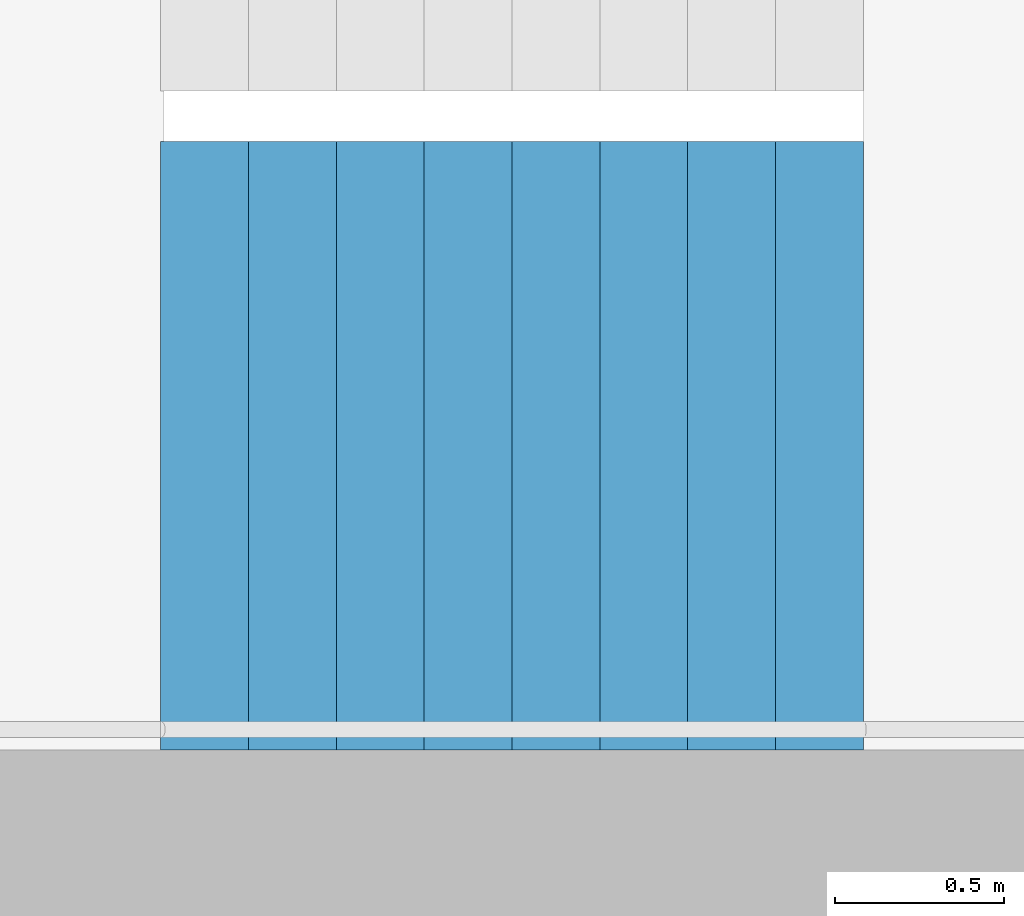
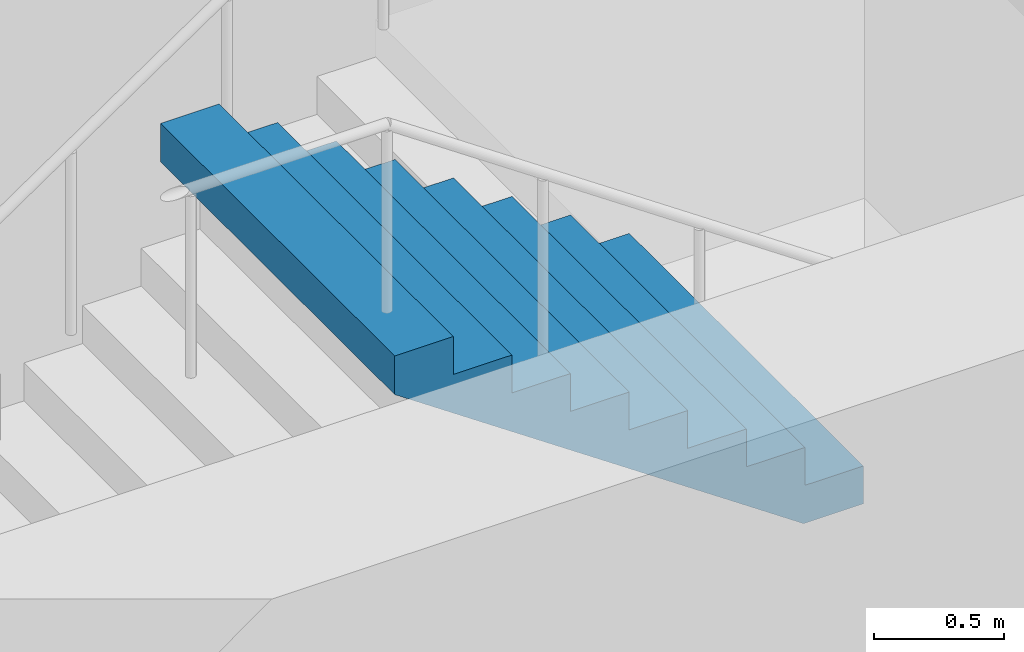
# One storey, part 24 of 28: 1 stair flight, 1 element without a shape of its own.
"""IFC4 building model written with IfcOpenShell, lengths in metres."""

from ifc_helpers import new_model, si_unit, direction, frame, origin, place, context, subcontext, project, spatial, triangles, material, type_object, element, aggregate, save


model = new_model("IFC4")

# Units and contexts
model_context = context("Model", 3, precision=1e-05, world=origin(), true_north=direction((0.0, 1.0)))
body_context = subcontext(model_context, "Body", "Model", "MODEL_VIEW")
ifc_project = project(units=[si_unit("LENGTHUNIT", "METRE"), si_unit("AREAUNIT", "SQUARE_METRE"), si_unit("VOLUMEUNIT", "CUBIC_METRE"), si_unit("PLANEANGLEUNIT", "RADIAN"), si_unit("MASSUNIT", "GRAM", prefix="KILO")], contexts=[model_context])

# Site, building, storey
site_placement = place(None, origin())
site = spatial("IfcSite", under=ifc_project, at=site_placement, CompositionType="ELEMENT")
building_placement = place(site_placement, origin())
building = spatial("IfcBuilding", under=site, at=building_placement, Name="Hakoniwa Tower and Hamabe Station Hall", CompositionType="ELEMENT")
storey_placement = place(building_placement, frame((0.0, 0.0, 32.60009765625)))
storey = spatial("IfcBuildingStorey", under=building, at=storey_placement, Name="L08", CompositionType="ELEMENT", Elevation=32.60009765625)

# Stair, stair flight
ifc_material_1 = material(Name="Concrete C40", Category="concrete")
stair_type = type_object("IfcStairType", Name="ESCAPE STAIR 1800", PredefinedType="HALF_TURN_STAIR", material=ifc_material_1)
stair_placement = place(storey_placement, origin())
stair = element("IfcStair", 1, at=stair_placement, inside=storey, type_object=stair_type, Name="Escape stair ST-4 L08", PredefinedType="HALF_TURN_STAIR")
ifc_material_2 = material(Name="Concrete C40", Category="concrete")
stair_flight_type = type_object("IfcStairFlightType", Name="STAIR FLIGHT 1800", PredefinedType="STRAIGHT", material=ifc_material_2)
stair_flight_placement = place(storey_placement, frame((25.47998046875, -6.60009765625, 1.599853515625), z_axis=(0.0, 0.0, 1.0), x_axis=(-1.0, 0.0, 0.0)))
stair_flight = element("IfcStairFlight", 2, at=stair_flight_placement, type_object=stair_flight_type, Name="ST-4 flight 2", NumberOfRisers=9, NumberOfTreads=8, PredefinedType="STRAIGHT", RiserHeight=0.177777778, TreadLength=0.26, context=body_context, shape_type="Tessellation", body=[
    triangles([(0.0, 0.89990234375, 0.0), (0.260009765625, 0.89990234375, 0.0), (0.265625, 0.89990234375, 0.0), (0.52001953125, 0.89990234375, 0.174072265625), (0.780029296875, 0.89990234375, 0.351806640625), (1.0400390625, 0.89990234375, 0.529541015625), (1.300048828125, 0.89990234375, 0.707275390625), (1.56005859375, 0.89990234375, 0.885009765625), (1.820068359375, 0.89990234375, 1.062744140625), (2.080078125, 0.89990234375, 1.24072265625), (2.080078125, 0.89990234375, 1.422119140625), (1.820068359375, 0.89990234375, 1.422119140625), (1.820068359375, 0.89990234375, 1.244384765625), (1.56005859375, 0.89990234375, 1.244384765625), (1.56005859375, 0.89990234375, 1.066650390625), (1.300048828125, 0.89990234375, 1.066650390625), (1.300048828125, 0.89990234375, 0.888916015625), (1.0400390625, 0.89990234375, 0.888916015625), (1.0400390625, 0.89990234375, 0.711181640625), (0.780029296875, 0.89990234375, 0.711181640625), (0.780029296875, 0.89990234375, 0.533447265625), (0.52001953125, 0.89990234375, 0.533447265625), (0.52001953125, 0.89990234375, 0.35546875), (0.265625, 0.89990234375, 0.35546875), (0.260009765625, 0.89990234375, 0.35546875), (0.260009765625, 0.89990234375, 0.177734375), (0.0, 0.89990234375, 0.177734375), (0.0, 0.06005859375, 0.0), (0.260009765625, 0.06005859375, 0.0), (0.265625, 0.06005859375, 0.0), (0.52001953125, 0.06005859375, 0.174072265625), (0.780029296875, 0.06005859375, 0.351806640625), (1.0400390625, 0.06005859375, 0.529541015625), (1.300048828125, 0.06005859375, 0.707275390625), (1.56005859375, 0.06005859375, 0.885009765625), (1.820068359375, 0.06005859375, 1.062744140625), (2.080078125, 0.06005859375, 1.24072265625), (2.080078125, 0.06005859375, 1.422119140625), (1.820068359375, 0.06005859375, 1.422119140625), (1.820068359375, 0.06005859375, 1.244384765625), (1.56005859375, 0.06005859375, 1.244384765625), (1.56005859375, 0.06005859375, 1.066650390625), (1.300048828125, 0.06005859375, 1.066650390625), (1.300048828125, 0.06005859375, 0.888916015625), (1.0400390625, 0.06005859375, 0.888916015625), (1.0400390625, 0.06005859375, 0.711181640625), (0.780029296875, 0.06005859375, 0.711181640625), (0.780029296875, 0.06005859375, 0.533447265625), (0.52001953125, 0.06005859375, 0.533447265625), (0.52001953125, 0.06005859375, 0.35546875), (0.265625, 0.06005859375, 0.35546875), (0.260009765625, 0.06005859375, 0.35546875), (0.260009765625, 0.06005859375, 0.177734375), (0.0, 0.06005859375, 0.177734375), (0.0, 0.04296875, 0.0), (0.260009765625, 0.04296875, 0.0), (0.265625, 0.04296875, 0.0), (0.52001953125, 0.04296875, 0.174072265625), (0.780029296875, 0.04296875, 0.351806640625), (1.0400390625, 0.04296875, 0.529541015625), (1.300048828125, 0.04296875, 0.707275390625), (1.56005859375, 0.04296875, 0.885009765625), (1.820068359375, 0.04296875, 1.062744140625), (2.080078125, 0.04296875, 1.24072265625), (2.080078125, 0.04296875, 1.422119140625), (1.820068359375, 0.04296875, 1.422119140625), (1.820068359375, 0.04296875, 1.244384765625), (1.56005859375, 0.04296875, 1.244384765625), (1.56005859375, 0.04296875, 1.066650390625), (1.300048828125, 0.04296875, 1.066650390625), (1.300048828125, 0.04296875, 0.888916015625), (1.0400390625, 0.04296875, 0.888916015625), (1.0400390625, 0.04296875, 0.711181640625), (0.780029296875, 0.04296875, 0.711181640625), (0.780029296875, 0.04296875, 0.533447265625), (0.52001953125, 0.04296875, 0.533447265625), (0.52001953125, 0.04296875, 0.35546875), (0.265625, 0.04296875, 0.35546875), (0.260009765625, 0.04296875, 0.35546875), (0.260009765625, 0.04296875, 0.177734375), (0.0, 0.04296875, 0.177734375), (0.0, 0.025634765625, 0.0), (0.260009765625, 0.025634765625, 0.0), (0.265625, 0.025634765625, 0.0), (0.52001953125, 0.025634765625, 0.174072265625), (0.780029296875, 0.025634765625, 0.351806640625), (1.0400390625, 0.025634765625, 0.529541015625), (1.300048828125, 0.025634765625, 0.707275390625), (1.56005859375, 0.025634765625, 0.885009765625), (1.820068359375, 0.025634765625, 1.062744140625), (2.080078125, 0.025634765625, 1.24072265625), (2.080078125, 0.025634765625, 1.422119140625), (1.820068359375, 0.025634765625, 1.422119140625), (1.820068359375, 0.025634765625, 1.244384765625), (1.56005859375, 0.025634765625, 1.244384765625), (1.56005859375, 0.025634765625, 1.066650390625), (1.300048828125, 0.025634765625, 1.066650390625), (1.300048828125, 0.025634765625, 0.888916015625), (1.0400390625, 0.025634765625, 0.888916015625), (1.0400390625, 0.025634765625, 0.711181640625), (0.780029296875, 0.025634765625, 0.711181640625), (0.780029296875, 0.025634765625, 0.533447265625), (0.52001953125, 0.025634765625, 0.533447265625), (0.52001953125, 0.025634765625, 0.35546875), (0.265625, 0.025634765625, 0.35546875), (0.260009765625, 0.025634765625, 0.35546875), (0.260009765625, 0.025634765625, 0.177734375), (0.0, 0.025634765625, 0.177734375), (0.0, 0.008544921875, 0.0), (0.260009765625, 0.008544921875, 0.0), (0.265625, 0.008544921875, 0.0), (0.52001953125, 0.008544921875, 0.174072265625), (0.780029296875, 0.008544921875, 0.351806640625), (1.0400390625, 0.008544921875, 0.529541015625), (1.300048828125, 0.008544921875, 0.707275390625), (1.56005859375, 0.008544921875, 0.885009765625), (1.820068359375, 0.008544921875, 1.062744140625), (2.080078125, 0.008544921875, 1.24072265625), (2.080078125, 0.008544921875, 1.422119140625), (1.820068359375, 0.008544921875, 1.422119140625), (1.820068359375, 0.008544921875, 1.244384765625), (1.56005859375, 0.008544921875, 1.244384765625), (1.56005859375, 0.008544921875, 1.066650390625), (1.300048828125, 0.008544921875, 1.066650390625), (1.300048828125, 0.008544921875, 0.888916015625), (1.0400390625, 0.008544921875, 0.888916015625), (1.0400390625, 0.008544921875, 0.711181640625), (0.780029296875, 0.008544921875, 0.711181640625), (0.780029296875, 0.008544921875, 0.533447265625), (0.52001953125, 0.008544921875, 0.533447265625), (0.52001953125, 0.008544921875, 0.35546875), (0.265625, 0.008544921875, 0.35546875), (0.260009765625, 0.008544921875, 0.35546875), (0.260009765625, 0.008544921875, 0.177734375), (0.0, 0.008544921875, 0.177734375), (0.0, -0.008544921875, 0.0), (0.260009765625, -0.008544921875, 0.0), (0.265625, -0.008544921875, 0.0), (0.52001953125, -0.008544921875, 0.174072265625), (0.780029296875, -0.008544921875, 0.351806640625), (1.0400390625, -0.008544921875, 0.529541015625), (1.300048828125, -0.008544921875, 0.707275390625), (1.56005859375, -0.008544921875, 0.885009765625), (1.820068359375, -0.008544921875, 1.062744140625), (2.080078125, -0.008544921875, 1.24072265625), (2.080078125, -0.008544921875, 1.422119140625), (1.820068359375, -0.008544921875, 1.422119140625), (1.820068359375, -0.008544921875, 1.244384765625), (1.56005859375, -0.008544921875, 1.244384765625), (1.56005859375, -0.008544921875, 1.066650390625), (1.300048828125, -0.008544921875, 1.066650390625), (1.300048828125, -0.008544921875, 0.888916015625), (1.0400390625, -0.008544921875, 0.888916015625), (1.0400390625, -0.008544921875, 0.711181640625), (0.780029296875, -0.008544921875, 0.711181640625), (0.780029296875, -0.008544921875, 0.533447265625), (0.52001953125, -0.008544921875, 0.533447265625), (0.52001953125, -0.008544921875, 0.35546875), (0.265625, -0.008544921875, 0.35546875), (0.260009765625, -0.008544921875, 0.35546875), (0.260009765625, -0.008544921875, 0.177734375), (0.0, -0.008544921875, 0.177734375), (0.0, -0.025634765625, 0.0), (0.260009765625, -0.025634765625, 0.0), (0.265625, -0.025634765625, 0.0), (0.52001953125, -0.025634765625, 0.174072265625), (0.780029296875, -0.025634765625, 0.351806640625), (1.0400390625, -0.025634765625, 0.529541015625), (1.300048828125, -0.025634765625, 0.707275390625), (1.56005859375, -0.025634765625, 0.885009765625), (1.820068359375, -0.025634765625, 1.062744140625), (2.080078125, -0.025634765625, 1.24072265625), (2.080078125, -0.025634765625, 1.422119140625), (1.820068359375, -0.025634765625, 1.422119140625), (1.820068359375, -0.025634765625, 1.244384765625), (1.56005859375, -0.025634765625, 1.244384765625), (1.56005859375, -0.025634765625, 1.066650390625), (1.300048828125, -0.025634765625, 1.066650390625), (1.300048828125, -0.025634765625, 0.888916015625), (1.0400390625, -0.025634765625, 0.888916015625), (1.0400390625, -0.025634765625, 0.711181640625), (0.780029296875, -0.025634765625, 0.711181640625), (0.780029296875, -0.025634765625, 0.533447265625), (0.52001953125, -0.025634765625, 0.533447265625), (0.52001953125, -0.025634765625, 0.35546875), (0.265625, -0.025634765625, 0.35546875), (0.260009765625, -0.025634765625, 0.35546875), (0.260009765625, -0.025634765625, 0.177734375), (0.0, -0.025634765625, 0.177734375), (0.0, -0.04296875, 0.0), (0.260009765625, -0.04296875, 0.0), (0.265625, -0.04296875, 0.0), (0.52001953125, -0.04296875, 0.174072265625), (0.780029296875, -0.04296875, 0.351806640625), (1.0400390625, -0.04296875, 0.529541015625), (1.300048828125, -0.04296875, 0.707275390625), (1.56005859375, -0.04296875, 0.885009765625), (1.820068359375, -0.04296875, 1.062744140625), (2.080078125, -0.04296875, 1.24072265625), (2.080078125, -0.04296875, 1.422119140625), (1.820068359375, -0.04296875, 1.422119140625), (1.820068359375, -0.04296875, 1.244384765625), (1.56005859375, -0.04296875, 1.244384765625), (1.56005859375, -0.04296875, 1.066650390625), (1.300048828125, -0.04296875, 1.066650390625), (1.300048828125, -0.04296875, 0.888916015625), (1.0400390625, -0.04296875, 0.888916015625), (1.0400390625, -0.04296875, 0.711181640625), (0.780029296875, -0.04296875, 0.711181640625), (0.780029296875, -0.04296875, 0.533447265625), (0.52001953125, -0.04296875, 0.533447265625), (0.52001953125, -0.04296875, 0.35546875), (0.265625, -0.04296875, 0.35546875), (0.260009765625, -0.04296875, 0.35546875), (0.260009765625, -0.04296875, 0.177734375), (0.0, -0.04296875, 0.177734375), (0.0, -0.06005859375, 0.0), (0.260009765625, -0.06005859375, 0.0), (0.265625, -0.06005859375, 0.0), (0.52001953125, -0.06005859375, 0.174072265625), (0.780029296875, -0.06005859375, 0.351806640625), (1.0400390625, -0.06005859375, 0.529541015625), (1.300048828125, -0.06005859375, 0.707275390625), (1.56005859375, -0.06005859375, 0.885009765625), (1.820068359375, -0.06005859375, 1.062744140625), (2.080078125, -0.06005859375, 1.24072265625), (2.080078125, -0.06005859375, 1.422119140625), (1.820068359375, -0.06005859375, 1.422119140625), (1.820068359375, -0.06005859375, 1.244384765625), (1.56005859375, -0.06005859375, 1.244384765625), (1.56005859375, -0.06005859375, 1.066650390625), (1.300048828125, -0.06005859375, 1.066650390625), (1.300048828125, -0.06005859375, 0.888916015625), (1.0400390625, -0.06005859375, 0.888916015625), (1.0400390625, -0.06005859375, 0.711181640625), (0.780029296875, -0.06005859375, 0.711181640625), (0.780029296875, -0.06005859375, 0.533447265625), (0.52001953125, -0.06005859375, 0.533447265625), (0.52001953125, -0.06005859375, 0.35546875), (0.265625, -0.06005859375, 0.35546875), (0.260009765625, -0.06005859375, 0.35546875), (0.260009765625, -0.06005859375, 0.177734375), (0.0, -0.06005859375, 0.177734375), (0.0, -0.89990234375, 0.0), (0.260009765625, -0.89990234375, 0.0), (0.265625, -0.89990234375, 0.0), (0.52001953125, -0.89990234375, 0.174072265625), (0.780029296875, -0.89990234375, 0.351806640625), (1.0400390625, -0.89990234375, 0.529541015625), (1.300048828125, -0.89990234375, 0.707275390625), (1.56005859375, -0.89990234375, 0.885009765625), (1.820068359375, -0.89990234375, 1.062744140625), (2.080078125, -0.89990234375, 1.24072265625), (2.080078125, -0.89990234375, 1.422119140625), (1.820068359375, -0.89990234375, 1.422119140625), (1.820068359375, -0.89990234375, 1.244384765625), (1.56005859375, -0.89990234375, 1.244384765625), (1.56005859375, -0.89990234375, 1.066650390625), (1.300048828125, -0.89990234375, 1.066650390625), (1.300048828125, -0.89990234375, 0.888916015625), (1.0400390625, -0.89990234375, 0.888916015625), (1.0400390625, -0.89990234375, 0.711181640625), (0.780029296875, -0.89990234375, 0.711181640625), (0.780029296875, -0.89990234375, 0.533447265625), (0.52001953125, -0.89990234375, 0.533447265625), (0.52001953125, -0.89990234375, 0.35546875), (0.265625, -0.89990234375, 0.35546875), (0.260009765625, -0.89990234375, 0.35546875), (0.260009765625, -0.89990234375, 0.177734375), (0.0, -0.89990234375, 0.177734375)], [[2, 27, 26], [245, 269, 270], [2, 1, 27], [245, 270, 244], [3, 25, 24], [246, 267, 268], [3, 26, 25], [246, 268, 269], [3, 2, 26], [246, 269, 245], [4, 24, 23], [247, 266, 267], [4, 3, 24], [247, 267, 246], [5, 22, 21], [248, 264, 265], [5, 23, 22], [248, 265, 266], [5, 4, 23], [248, 266, 247], [6, 20, 19], [249, 262, 263], [6, 21, 20], [249, 263, 264], [6, 5, 21], [249, 264, 248], [7, 18, 17], [250, 260, 261], [7, 19, 18], [250, 261, 262], [7, 6, 19], [250, 262, 249], [8, 16, 15], [251, 258, 259], [8, 17, 16], [251, 259, 260], [8, 7, 17], [251, 260, 250], [9, 14, 13], [252, 256, 257], [9, 15, 14], [252, 257, 258], [9, 8, 15], [252, 258, 251], [10, 12, 11], [253, 254, 255], [10, 13, 12], [253, 255, 256], [10, 9, 13], [253, 256, 252], [1, 2, 29], [1, 29, 28], [28, 29, 56], [28, 56, 55], [55, 56, 83], [55, 83, 82], [82, 83, 110], [82, 110, 109], [109, 110, 137], [109, 137, 136], [136, 137, 164], [136, 164, 163], [163, 164, 191], [163, 191, 190], [190, 191, 218], [190, 218, 217], [217, 218, 245], [217, 245, 244], [2, 3, 30], [2, 30, 29], [29, 30, 57], [29, 57, 56], [56, 57, 84], [56, 84, 83], [83, 84, 111], [83, 111, 110], [110, 111, 138], [110, 138, 137], [137, 138, 165], [137, 165, 164], [164, 165, 192], [164, 192, 191], [191, 192, 219], [191, 219, 218], [218, 219, 246], [218, 246, 245], [3, 4, 31], [3, 31, 30], [30, 31, 58], [30, 58, 57], [57, 58, 85], [57, 85, 84], [84, 85, 112], [84, 112, 111], [111, 112, 139], [111, 139, 138], [138, 139, 166], [138, 166, 165], [165, 166, 193], [165, 193, 192], [192, 193, 220], [192, 220, 219], [219, 220, 247], [219, 247, 246], [4, 5, 32], [4, 32, 31], [31, 32, 59], [31, 59, 58], [58, 59, 86], [58, 86, 85], [85, 86, 113], [85, 113, 112], [112, 113, 140], [112, 140, 139], [139, 140, 167], [139, 167, 166], [166, 167, 194], [166, 194, 193], [193, 194, 221], [193, 221, 220], [220, 221, 248], [220, 248, 247], [5, 6, 33], [5, 33, 32], [32, 33, 60], [32, 60, 59], [59, 60, 87], [59, 87, 86], [86, 87, 114], [86, 114, 113], [113, 114, 141], [113, 141, 140], [140, 141, 168], [140, 168, 167], [167, 168, 195], [167, 195, 194], [194, 195, 222], [194, 222, 221], [221, 222, 249], [221, 249, 248], [6, 7, 34], [6, 34, 33], [33, 34, 61], [33, 61, 60], [60, 61, 88], [60, 88, 87], [87, 88, 115], [87, 115, 114], [114, 115, 142], [114, 142, 141], [141, 142, 169], [141, 169, 168], [168, 169, 196], [168, 196, 195], [195, 196, 223], [195, 223, 222], [222, 223, 250], [222, 250, 249], [7, 8, 35], [7, 35, 34], [34, 35, 62], [34, 62, 61], [61, 62, 89], [61, 89, 88], [88, 89, 116], [88, 116, 115], [115, 116, 143], [115, 143, 142], [142, 143, 170], [142, 170, 169], [169, 170, 197], [169, 197, 196], [196, 197, 224], [196, 224, 223], [223, 224, 251], [223, 251, 250], [8, 9, 36], [8, 36, 35], [35, 36, 63], [35, 63, 62], [62, 63, 90], [62, 90, 89], [89, 90, 117], [89, 117, 116], [116, 117, 144], [116, 144, 143], [143, 144, 171], [143, 171, 170], [170, 171, 198], [170, 198, 197], [197, 198, 225], [197, 225, 224], [224, 225, 252], [224, 252, 251], [9, 10, 37], [9, 37, 36], [36, 37, 64], [36, 64, 63], [63, 64, 91], [63, 91, 90], [90, 91, 118], [90, 118, 117], [117, 118, 145], [117, 145, 144], [144, 145, 172], [144, 172, 171], [171, 172, 199], [171, 199, 198], [198, 199, 226], [198, 226, 225], [225, 226, 253], [225, 253, 252], [10, 11, 38], [10, 38, 37], [37, 38, 65], [37, 65, 64], [64, 65, 92], [64, 92, 91], [91, 92, 119], [91, 119, 118], [118, 119, 146], [118, 146, 145], [145, 146, 173], [145, 173, 172], [172, 173, 200], [172, 200, 199], [199, 200, 227], [199, 227, 226], [226, 227, 254], [226, 254, 253], [11, 12, 39], [11, 39, 38], [38, 39, 66], [38, 66, 65], [65, 66, 93], [65, 93, 92], [92, 93, 120], [92, 120, 119], [119, 120, 147], [119, 147, 146], [146, 147, 174], [146, 174, 173], [173, 174, 201], [173, 201, 200], [200, 201, 228], [200, 228, 227], [227, 228, 255], [227, 255, 254], [12, 13, 40], [12, 40, 39], [39, 40, 67], [39, 67, 66], [66, 67, 94], [66, 94, 93], [93, 94, 121], [93, 121, 120], [120, 121, 148], [120, 148, 147], [147, 148, 175], [147, 175, 174], [174, 175, 202], [174, 202, 201], [201, 202, 229], [201, 229, 228], [228, 229, 256], [228, 256, 255], [13, 14, 41], [13, 41, 40], [40, 41, 68], [40, 68, 67], [67, 68, 95], [67, 95, 94], [94, 95, 122], [94, 122, 121], [121, 122, 149], [121, 149, 148], [148, 149, 176], [148, 176, 175], [175, 176, 203], [175, 203, 202], [202, 203, 230], [202, 230, 229], [229, 230, 257], [229, 257, 256], [14, 15, 42], [14, 42, 41], [41, 42, 69], [41, 69, 68], [68, 69, 96], [68, 96, 95], [95, 96, 123], [95, 123, 122], [122, 123, 150], [122, 150, 149], [149, 150, 177], [149, 177, 176], [176, 177, 204], [176, 204, 203], [203, 204, 231], [203, 231, 230], [230, 231, 258], [230, 258, 257], [15, 16, 43], [15, 43, 42], [42, 43, 70], [42, 70, 69], [69, 70, 97], [69, 97, 96], [96, 97, 124], [96, 124, 123], [123, 124, 151], [123, 151, 150], [150, 151, 178], [150, 178, 177], [177, 178, 205], [177, 205, 204], [204, 205, 232], [204, 232, 231], [231, 232, 259], [231, 259, 258], [16, 17, 44], [16, 44, 43], [43, 44, 71], [43, 71, 70], [70, 71, 98], [70, 98, 97], [97, 98, 125], [97, 125, 124], [124, 125, 152], [124, 152, 151], [151, 152, 179], [151, 179, 178], [178, 179, 206], [178, 206, 205], [205, 206, 233], [205, 233, 232], [232, 233, 260], [232, 260, 259], [17, 18, 45], [17, 45, 44], [44, 45, 72], [44, 72, 71], [71, 72, 99], [71, 99, 98], [98, 99, 126], [98, 126, 125], [125, 126, 153], [125, 153, 152], [152, 153, 180], [152, 180, 179], [179, 180, 207], [179, 207, 206], [206, 207, 234], [206, 234, 233], [233, 234, 261], [233, 261, 260], [18, 19, 46], [18, 46, 45], [45, 46, 73], [45, 73, 72], [72, 73, 100], [72, 100, 99], [99, 100, 127], [99, 127, 126], [126, 127, 154], [126, 154, 153], [153, 154, 181], [153, 181, 180], [180, 181, 208], [180, 208, 207], [207, 208, 235], [207, 235, 234], [234, 235, 262], [234, 262, 261], [19, 20, 47], [19, 47, 46], [46, 47, 74], [46, 74, 73], [73, 74, 101], [73, 101, 100], [100, 101, 128], [100, 128, 127], [127, 128, 155], [127, 155, 154], [154, 155, 182], [154, 182, 181], [181, 182, 209], [181, 209, 208], [208, 209, 236], [208, 236, 235], [235, 236, 263], [235, 263, 262], [20, 21, 48], [20, 48, 47], [47, 48, 75], [47, 75, 74], [74, 75, 102], [74, 102, 101], [101, 102, 129], [101, 129, 128], [128, 129, 156], [128, 156, 155], [155, 156, 183], [155, 183, 182], [182, 183, 210], [182, 210, 209], [209, 210, 237], [209, 237, 236], [236, 237, 264], [236, 264, 263], [21, 22, 49], [21, 49, 48], [48, 49, 76], [48, 76, 75], [75, 76, 103], [75, 103, 102], [102, 103, 130], [102, 130, 129], [129, 130, 157], [129, 157, 156], [156, 157, 184], [156, 184, 183], [183, 184, 211], [183, 211, 210], [210, 211, 238], [210, 238, 237], [237, 238, 265], [237, 265, 264], [22, 23, 50], [22, 50, 49], [49, 50, 77], [49, 77, 76], [76, 77, 104], [76, 104, 103], [103, 104, 131], [103, 131, 130], [130, 131, 158], [130, 158, 157], [157, 158, 185], [157, 185, 184], [184, 185, 212], [184, 212, 211], [211, 212, 239], [211, 239, 238], [238, 239, 266], [238, 266, 265], [23, 24, 51], [23, 51, 50], [50, 51, 78], [50, 78, 77], [77, 78, 105], [77, 105, 104], [104, 105, 132], [104, 132, 131], [131, 132, 159], [131, 159, 158], [158, 159, 186], [158, 186, 185], [185, 186, 213], [185, 213, 212], [212, 213, 240], [212, 240, 239], [239, 240, 267], [239, 267, 266], [24, 25, 52], [24, 52, 51], [51, 52, 79], [51, 79, 78], [78, 79, 106], [78, 106, 105], [105, 106, 133], [105, 133, 132], [132, 133, 160], [132, 160, 159], [159, 160, 187], [159, 187, 186], [186, 187, 214], [186, 214, 213], [213, 214, 241], [213, 241, 240], [240, 241, 268], [240, 268, 267], [25, 26, 53], [25, 53, 52], [52, 53, 80], [52, 80, 79], [79, 80, 107], [79, 107, 106], [106, 107, 134], [106, 134, 133], [133, 134, 161], [133, 161, 160], [160, 161, 188], [160, 188, 187], [187, 188, 215], [187, 215, 214], [214, 215, 242], [214, 242, 241], [241, 242, 269], [241, 269, 268], [26, 27, 54], [26, 54, 53], [53, 54, 81], [53, 81, 80], [80, 81, 108], [80, 108, 107], [107, 108, 135], [107, 135, 134], [134, 135, 162], [134, 162, 161], [161, 162, 189], [161, 189, 188], [188, 189, 216], [188, 216, 215], [215, 216, 243], [215, 243, 242], [242, 243, 270], [242, 270, 269], [27, 1, 28], [27, 28, 54], [54, 28, 55], [54, 55, 81], [81, 55, 82], [81, 82, 108], [108, 82, 109], [108, 109, 135], [135, 109, 136], [135, 136, 162], [162, 136, 163], [162, 163, 189], [189, 163, 190], [189, 190, 216], [216, 190, 217], [216, 217, 243], [243, 217, 244], [243, 244, 270]], closed=True),
])
aggregate(stair, [stair_flight])

save(model, "model.ifc")
